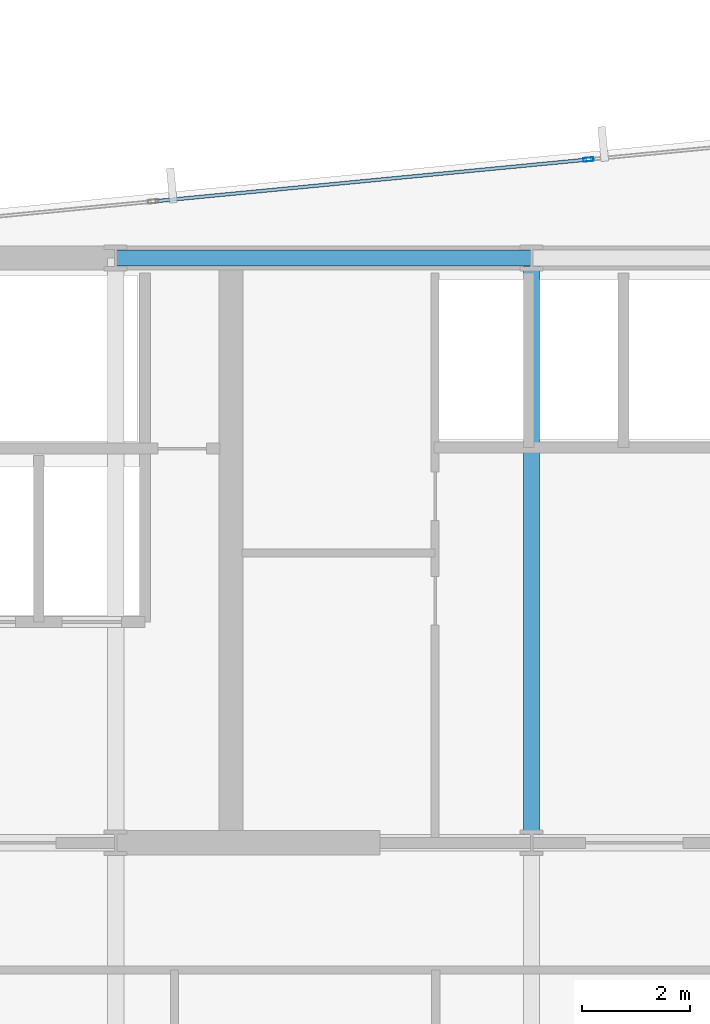
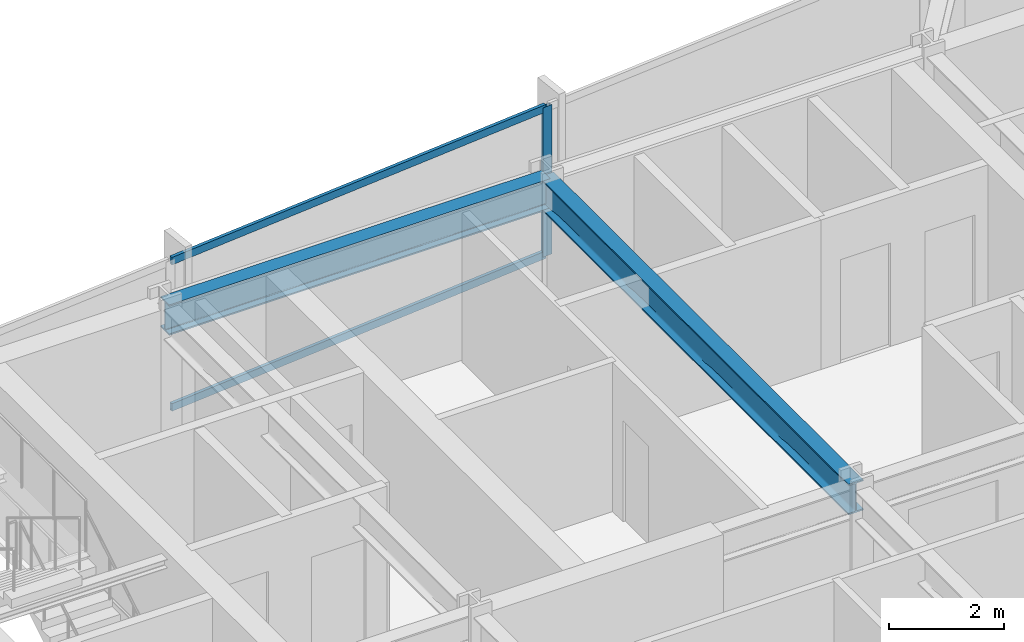
# One storey, part 19 of 33: 3 members, 2 beams, 1 element without a shape of its own.
"""IFC4 building model written with IfcOpenShell, lengths in metres."""

from ifc_helpers import new_model, si_unit, direction, frame, origin, origin_2d, place, context, subcontext, project, spatial, hollow_rectangle, i_section, extrude, material, material_profile, profile_set, type_object, element, aggregate, save


model = new_model("IFC4")

# Units and contexts
model_context = context("Model", 3, precision=1e-05, world=origin(), true_north=direction((0.0, 1.0)))
body_context = subcontext(model_context, "Body", "Model", "MODEL_VIEW")
ifc_project = project(units=[si_unit("LENGTHUNIT", "METRE"), si_unit("AREAUNIT", "SQUARE_METRE"), si_unit("VOLUMEUNIT", "CUBIC_METRE"), si_unit("PLANEANGLEUNIT", "RADIAN"), si_unit("MASSUNIT", "GRAM", prefix="KILO")], contexts=[model_context])

# Site, building, storey
site_placement = place(None, origin())
site = spatial("IfcSite", under=ifc_project, at=site_placement, CompositionType="ELEMENT")
building_placement = place(site_placement, origin())
building = spatial("IfcBuilding", under=site, at=building_placement, Name="Yelkora Congress Tower", CompositionType="ELEMENT")
storey_placement = place(building_placement, frame((0.0, 0.0, 110.10009765625)))
storey = spatial("IfcBuildingStorey", under=building, at=storey_placement, Name="L29", CompositionType="ELEMENT", Elevation=110.10009765625)

# Beams
ifc_material_1 = material(Name="Steel S355J2", Category="steel")
ifc_material_profile_1 = material_profile(ifc_material_1, i_section(OverallWidth=0.300048828125, OverallDepth=0.64990234375, WebThickness=0.01611328125, FlangeThickness=0.031005859375, FilletRadius=0.027099609375, at=origin_2d()), Name="HEB 650")
ifc_profile_set_1 = profile_set([ifc_material_profile_1], Name="Steel S355J2")
beam_type = type_object("IfcBeamType", Name="BM-GIRD-HEB650", PredefinedType="BEAM", material=ifc_profile_set_1)
beam_1_placement = place(storey_placement, frame((30.719970703125, 46.199951171875, 2.85498046875), z_axis=(1.0, 0.0, 0.0), x_axis=(0.0, 1.0, 0.0)))
element("IfcBeam", 1, at=beam_1_placement, inside=storey, type_object=beam_type, Name="L29 Core North Girder 3", PredefinedType="BEAM", context=body_context, shape_type="SweptSolid", body=[
    extrude(i_section(OverallWidth=0.300048828125, OverallDepth=0.64990234375, WebThickness=0.01611328125, FlangeThickness=0.031005859375, FilletRadius=0.027099609375, at=origin_2d()), origin(), (0.0, 0.0, 1.0), 7.679931640625),
])
beam_2_placement = place(storey_placement, frame((38.39990234375, 35.39990234375, 2.85498046875), z_axis=(0.0, 1.0, 0.0), x_axis=(-1.0, 0.0, 0.0)))
element("IfcBeam", 2, at=beam_2_placement, inside=storey, type_object=beam_type, Name="L29 Core Tie Girder MC-S3", PredefinedType="BEAM", context=body_context, shape_type="SweptSolid", body=[
    extrude(i_section(OverallWidth=0.300048828125, OverallDepth=0.64990234375, WebThickness=0.01611328125, FlangeThickness=0.031005859375, FilletRadius=0.027099609375, at=origin_2d()), origin(), (0.0, 0.0, 1.0), 10.800048828125),
])

# Curtain wall, members
ifc_material_2 = material(Name="Anodised aluminium and insulated glass", Category="aluminium")
curtain_wall_type = type_object("IfcCurtainWallType", Name="CW-SYS-B2", PredefinedType="NOTDEFINED", material=ifc_material_2)
curtain_wall_placement = place(storey_placement, origin())
curtain_wall = element("IfcCurtainWall", 3, at=curtain_wall_placement, inside=storey, type_object=curtain_wall_type, Name="L29 Unitised Curtain Wall 10 (3)", PredefinedType="NOTDEFINED")
ifc_material_3 = material(Name="Anodised aluminium 6063-T6", Category="aluminium")
ifc_material_profile_2 = material_profile(ifc_material_3, hollow_rectangle(XDim=0.070068359375, YDim=0.18994140625, WallThickness=0.00390625, at=origin_2d()), Name="ALU 70x190x4")
ifc_profile_set_2 = profile_set([ifc_material_profile_2], Name="Anodised aluminium 6063-T6")
member_type_1 = type_object("IfcMemberType", Name="MEM-ML-B2", PredefinedType="MULLION", material=ifc_profile_set_2)
member_1_placement = place(storey_placement, frame((39.451904296875, 48.018310546875, 0.0), z_axis=(0.0, 0.0, 1.0), x_axis=(-0.095844238468, 0.995396344153, 0.0)))
member_1 = element("IfcMember", 4, at=member_1_placement, type_object=member_type_1, Name="CW-B2 mullion 3", PredefinedType="MULLION", context=body_context, shape_type="SweptSolid", body=[
    extrude(hollow_rectangle(XDim=0.070068359375, YDim=0.18994140625, WallThickness=0.00390625, at=origin_2d()), origin(), (0.0, 0.0, 1.0), 3.179931640625),
])
ifc_material_profile_3 = material_profile(ifc_material_3, hollow_rectangle(XDim=0.06494140625, YDim=0.159912109375, WallThickness=0.00390625, at=origin_2d()), Name="ALU 65x160x4")
ifc_profile_set_3 = profile_set([ifc_material_profile_3], Name="Anodised aluminium 6063-T6")
member_type_2 = type_object("IfcMemberType", Name="MEM-TR-B2", PredefinedType="USERDEFINED", material=ifc_profile_set_3)
member_2_placement = place(storey_placement, frame((31.44677734375, 47.24755859375, 0.032470703125), z_axis=(0.995397793901, 0.09582918082, 0.0), x_axis=(-0.09582918082, 0.995397793901, 0.0)))
member_2 = element("IfcMember", 5, at=member_2_placement, type_object=member_type_2, Name="CW-B2 transom 2.1", ObjectType="TRANSOM", PredefinedType="USERDEFINED", context=body_context, shape_type="SweptSolid", body=[
    extrude(hollow_rectangle(XDim=0.06494140625, YDim=0.159912109375, WallThickness=0.00390625, at=origin_2d()), origin(), (0.0, 0.0, 1.0), 8.00732421875),
])
member_3_placement = place(storey_placement, frame((31.44677734375, 47.24755859375, 3.1474609375), z_axis=(0.995397793901, 0.09582918082, 0.0), x_axis=(-0.09582918082, 0.995397793901, 0.0)))
member_3 = element("IfcMember", 6, at=member_3_placement, type_object=member_type_2, Name="CW-B2 transom 2.2", ObjectType="TRANSOM", PredefinedType="USERDEFINED", context=body_context, shape_type="SweptSolid", body=[
    extrude(hollow_rectangle(XDim=0.06494140625, YDim=0.159912109375, WallThickness=0.00390625, at=origin_2d()), origin(), (0.0, 0.0, 1.0), 8.00732421875),
])
aggregate(curtain_wall, [member_1, member_2, member_3])

save(model, "model.ifc")
